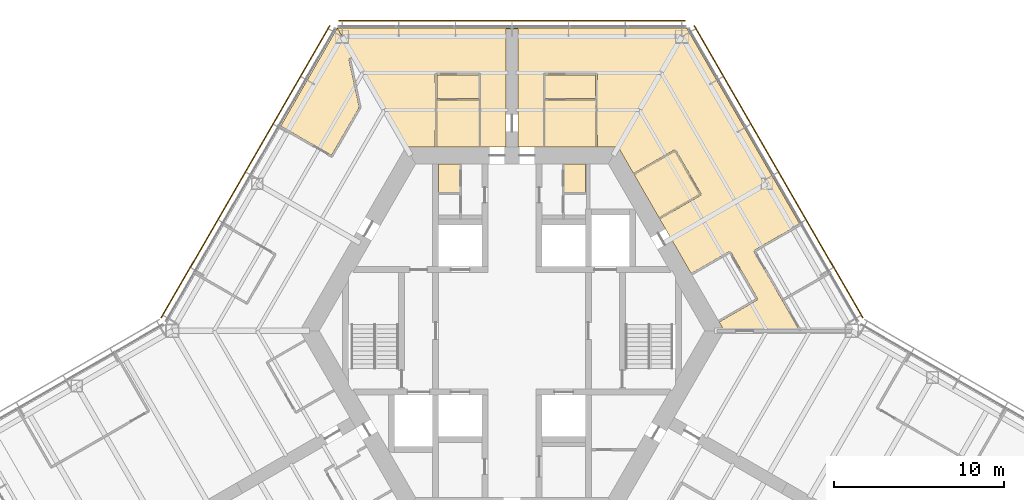
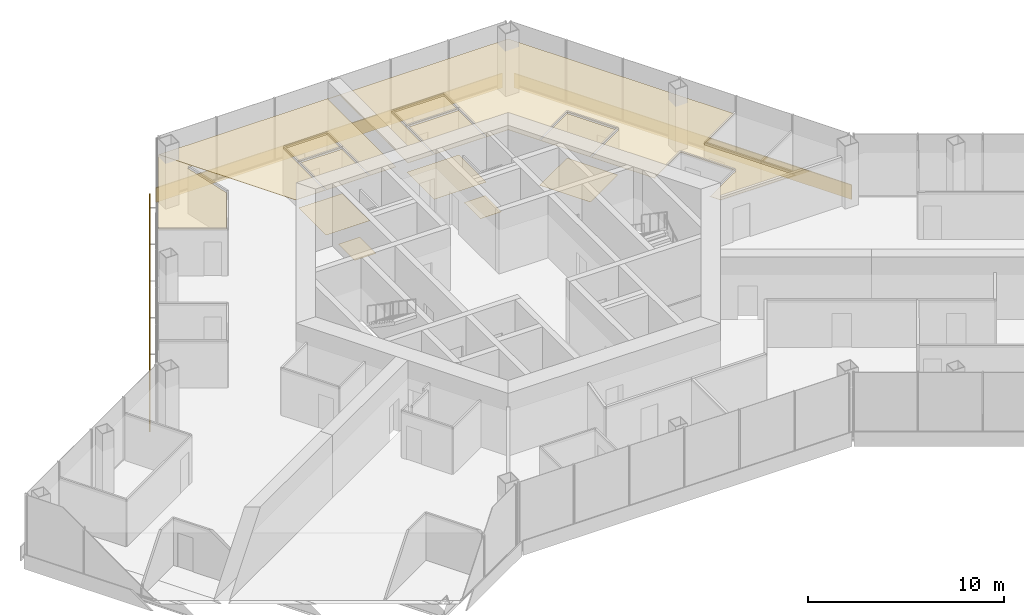
# One storey, part 18 of 18: 13 coverings, 3 shading devices.
"""IFC4 building model written with IfcOpenShell, lengths in metres."""

from ifc_helpers import new_model, si_unit, direction, frame, origin, origin_2d, place, context, subcontext, project, spatial, polyline, rectangle, outline, extrude, material, layer, layer_set, type_object, element, save


model = new_model("IFC4")

# Units and contexts
model_context = context("Model", 3, precision=1e-05, world=origin(), true_north=direction((0.0, 1.0)))
body_context = subcontext(model_context, "Body", "Model", "MODEL_VIEW")
ifc_project = project(units=[si_unit("LENGTHUNIT", "METRE"), si_unit("AREAUNIT", "SQUARE_METRE"), si_unit("VOLUMEUNIT", "CUBIC_METRE"), si_unit("PLANEANGLEUNIT", "RADIAN"), si_unit("MASSUNIT", "GRAM", prefix="KILO")], contexts=[model_context])

# Site, building, storey
site_placement = place(None, origin())
site = spatial("IfcSite", under=ifc_project, at=site_placement, CompositionType="ELEMENT")
building_placement = place(site_placement, origin())
building = spatial("IfcBuilding", under=site, at=building_placement, Name="Kasaneha Research Tower", CompositionType="ELEMENT")
storey_placement = place(building_placement, frame((0.0, 0.0, 176.0)))
storey = spatial("IfcBuildingStorey", under=building, at=storey_placement, Name="L44", CompositionType="ELEMENT", Elevation=176.0)

# Coverings
ifc_material_1 = material(Name="Gypsum ceiling board", Category="gypsum")
ifc_layer_1 = layer(ifc_material_1, 0.02001953125)
ifc_layer_set_1 = layer_set([ifc_layer_1], Name="Suspended ceiling 20")
covering_type_1 = type_object("IfcCoveringType", Name="Suspended ceiling 20", PredefinedType="CEILING", material=ifc_layer_set_1)
covering_1_placement = place(storey_placement, frame((0.0, 0.0, 2.800048828125)))
element("IfcCovering", 1, at=covering_1_placement, inside=storey, type_object=covering_type_1, Name="Ceiling L44-27", PredefinedType="CEILING", context=body_context, shape_type="SweptSolid", body=[
    extrude(outline(polyline([(1.89990234375, 10.824951171875), (1.89990234375, 10.844970703125), (1.949951171875, 10.844970703125), (1.95458984375, 13.570068359375), (4.91650390625, 13.570068359375), (4.9208984375, 10.844970703125), (4.970947265625, 10.844970703125), (4.970947265625, 10.824951171875), (1.89990234375, 10.824951171875)])), origin(), (0.0, 0.0, 1.0), 0.02001953125),
])
covering_2_placement = place(storey_placement, frame((0.0, 0.0, 2.800048828125)))
element("IfcCovering", 2, at=covering_2_placement, inside=storey, type_object=covering_type_1, Name="Ceiling L44-28", PredefinedType="CEILING", context=body_context, shape_type="SweptSolid", body=[
    extrude(outline(polyline([(4.91650390625, 13.669921875), (1.954345703125, 13.669921875), (1.9501953125, 15.074951171875), (4.9208984375, 15.074951171875), (4.91650390625, 13.669921875)])), origin(), (0.0, 0.0, 1.0), 0.02001953125),
])
covering_3_placement = place(storey_placement, frame((0.0, 0.0, 2.800048828125)))
element("IfcCovering", 3, at=covering_3_placement, inside=storey, type_object=covering_type_1, Name="Ceiling L44-29", PredefinedType="CEILING", context=body_context, shape_type="SweptSolid", body=[
    extrude(outline(polyline([(7.1748046875, 9.222900390625), (7.19189453125, 9.23291015625), (7.217041015625, 9.189697265625), (9.581298828125, 10.5546875), (11.03125, 8.043212890625), (8.6669921875, 6.67822265625), (8.69189453125, 6.635009765625), (8.6748046875, 6.625), (7.1748046875, 9.222900390625)])), origin(), (0.0, 0.0, 1.0), 0.02001953125),
])
covering_4_placement = place(storey_placement, frame((0.0, 0.0, 2.800048828125)))
element("IfcCovering", 4, at=covering_4_placement, inside=storey, type_object=covering_type_1, Name="Ceiling L44-33", PredefinedType="CEILING", context=body_context, shape_type="SweptSolid", body=[
    extrude(outline(polyline([(12.1923828125, 0.572265625), (12.217041015625, 0.529541015625), (14.451416015625, 1.819580078125), (14.426513671875, 1.86279296875), (14.4267578125, 1.863037109375), (14.4267578125, 1.863037109375), (14.4697265625, 1.8876953125), (12.86962890625, 4.658935546875), (12.82666015625, 4.63427734375), (12.82666015625, 4.634521484375), (12.826171875, 4.63427734375), (12.801513671875, 4.67724609375), (10.56689453125, 3.38720703125), (10.591796875, 3.344482421875), (10.574462890625, 3.33447265625), (8.675048828125, 6.62451171875), (8.692138671875, 6.634521484375), (8.717041015625, 6.591552734375), (11.12451171875, 7.981689453125), (11.099853515625, 8.024658203125), (11.10009765625, 8.02490234375), (11.099853515625, 8.025146484375), (11.142822265625, 8.0498046875), (9.642822265625, 10.64794921875), (9.60009765625, 10.623291015625), (9.599853515625, 10.623291015625), (9.599609375, 10.623046875), (9.57470703125, 10.666259765625), (7.1669921875, 9.2763671875), (7.191650390625, 9.2333984375), (7.174560546875, 9.223388671875), (6.249755859375, 10.824951171875), (4.971435546875, 10.824951171875), (4.971435546875, 10.844970703125), (5.02099609375, 10.844970703125), (5.016357421875, 13.625), (5.02099609375, 15.124755859375), (4.971435546875, 15.125), (4.971435546875, 15.12548828125), (4.970947265625, 15.12548828125), (4.970947265625, 15.175048828125), (1.89990234375, 15.175048828125), (1.89990234375, 15.125244140625), (1.899658203125, 15.125244140625), (1.899658203125, 15.125), (1.85009765625, 15.124755859375), (1.8544921875, 13.625), (1.85009765625, 10.844970703125), (1.8994140625, 10.844970703125), (1.8994140625, 10.824951171875), (0.35009765625, 10.824951171875), (0.35009765625, 11.72509765625), (0.35009765625, 12.72509765625), (0.35009765625, 17.7705078125), (0.35009765625, 17.7705078125), (0.0, 17.7705078125), (0.0, 17.820556640625), (10.28857421875, 17.820556640625), (16.94677734375, 6.28857421875), (14.261962890625, 4.738525390625), (14.286865234375, 4.6953125), (14.28662109375, 4.695068359375), (14.28662109375, 4.695068359375), (14.24365234375, 4.670166015625), (15.9130859375, 1.787841796875), (16.93994140625, 0.0), (12.49951171875, 0.0), (12.175048828125, 0.562255859375), (12.1923828125, 0.572265625)])), origin(), (0.0, 0.0, 1.0), 0.02001953125),
])
covering_5_placement = place(storey_placement, frame((0.0, 0.0, 2.800048828125)))
element("IfcCovering", 5, at=covering_5_placement, inside=storey, type_object=covering_type_1, Name="Ceiling L44-34", PredefinedType="CEILING", context=body_context, shape_type="SweptSolid", body=[
    extrude(outline(polyline([(-4.470947265625, 10.824951171875), (-4.470947265625, 10.844970703125), (-4.4208984375, 10.844970703125), (-4.41650390625, 13.570068359375), (-1.95458984375, 13.570068359375), (-1.949951171875, 10.844970703125), (-1.89990234375, 10.844970703125), (-1.89990234375, 10.824951171875), (-4.470947265625, 10.824951171875)])), origin(), (0.0, 0.0, 1.0), 0.02001953125),
])
covering_6_placement = place(storey_placement, frame((0.0, 0.0, 2.800048828125)))
element("IfcCovering", 6, at=covering_6_placement, inside=storey, type_object=covering_type_1, Name="Ceiling L44-35", PredefinedType="CEILING", context=body_context, shape_type="SweptSolid", body=[
    extrude(outline(polyline([(-1.9501953125, 15.074951171875), (-1.95458984375, 13.669921875), (-4.41650390625, 13.669921875), (-4.4208984375, 15.074951171875), (-1.9501953125, 15.074951171875)])), origin(), (0.0, 0.0, 1.0), 0.02001953125),
])
covering_7_placement = place(storey_placement, frame((0.0, 0.0, 2.800048828125)))
element("IfcCovering", 7, at=covering_7_placement, inside=storey, type_object=covering_type_1, Name="Ceiling L44-36", PredefinedType="CEILING", context=body_context, shape_type="SweptSolid", body=[
    extrude(outline(polyline([(-0.35009765625, 11.72509765625), (-0.35009765625, 10.824951171875), (-1.8994140625, 10.824951171875), (-1.8994140625, 10.844970703125), (-1.85009765625, 10.844970703125), (-1.854736328125, 13.625), (-1.85009765625, 15.124755859375), (-1.89990234375, 15.125), (-1.89990234375, 15.12548828125), (-1.89990234375, 15.175048828125), (-4.470947265625, 15.175048828125), (-4.470947265625, 15.125244140625), (-4.471435546875, 15.125244140625), (-4.471435546875, 15.125), (-4.52099609375, 15.124755859375), (-4.516357421875, 13.625), (-4.52099609375, 10.844970703125), (-4.471435546875, 10.844970703125), (-4.471435546875, 10.824951171875), (-6.249755859375, 10.824951171875), (-10.28857421875, 17.820556640625), (0.0, 17.820556640625), (0.0, 17.7705078125), (-0.35009765625, 17.7705078125), (-0.35009765625, 17.7705078125), (-0.35009765625, 12.72509765625), (-0.35009765625, 11.72509765625)])), origin(), (0.0, 0.0, 1.0), 0.02001953125),
])
covering_8_placement = place(storey_placement, frame((0.0, 0.0, 2.800048828125)))
element("IfcCovering", 8, at=covering_8_placement, inside=storey, type_object=covering_type_1, Name="Ceiling L44-37", PredefinedType="CEILING", context=body_context, shape_type="SweptSolid", body=[
    extrude(outline(polyline([(-6.249267578125, 10.824951171875), (-9.308837890625, 16.122314453125), (-9.56396484375, 16.02392578125), (-9.56396484375, 16.02392578125), (-9.61279296875, 16.013427734375), (-8.99609375, 13.15771484375), (-10.6279296875, 10.332763671875), (-13.598388671875, 12.0478515625), (-13.623291015625, 12.004638671875), (-13.640869140625, 12.0146484375), (-10.28857421875, 17.821044921875), (-6.249267578125, 10.824951171875)])), origin(), (0.0, 0.0, 1.0), 0.02001953125),
])

# Shading devices
ifc_material_2 = material(Name="Terracotta", Category="masonry")
ifc_layer_2 = layer(ifc_material_2, 0.06005859375)
ifc_layer_set_2 = layer_set([ifc_layer_2], Name="Terracotta baguette screen")
shading_device_type = type_object("IfcShadingDeviceType", Name="Terracotta baguette screen", PredefinedType="USERDEFINED", material=ifc_layer_set_2)
shading_device_1_placement = place(storey_placement, frame((15.696044921875, 9.35498046875, -0.449951171875), z_axis=(0.0, 0.0, 1.0), x_axis=(-0.499999979232, 0.866025415775, 0.0)))
element("IfcShadingDevice", 9, at=shading_device_1_placement, inside=storey, type_object=shading_device_type, Name="Baguette screen L44 06", ObjectType="TERRACOTTA BAGUETTE SCREEN", PredefinedType="USERDEFINED", context=body_context, shape_type="SweptSolid", body=[
    extrude(rectangle(XDim=19.8857421875, YDim=0.06005859375, at=origin_2d()), origin(), (0.0, 0.0, 1.0), 0.89990234375),
])
shading_device_2_placement = place(storey_placement, frame((0.0, 18.2705078125, -0.449951171875), z_axis=(0.0, 0.0, 1.0), x_axis=(-1.0, 0.0, 0.0)))
element("IfcShadingDevice", 10, at=shading_device_2_placement, inside=storey, type_object=shading_device_type, Name="Baguette screen L44 07", ObjectType="TERRACOTTA BAGUETTE SCREEN", PredefinedType="USERDEFINED", context=body_context, shape_type="SweptSolid", body=[
    extrude(rectangle(XDim=20.392822265625, YDim=0.06005859375, at=origin_2d()), origin(), (0.0, 0.0, 1.0), 0.89990234375),
])
shading_device_3_placement = place(storey_placement, frame((-15.696044921875, 9.35498046875, -0.449951171875), z_axis=(0.0, 0.0, 1.0), x_axis=(-0.499999979232, -0.866025415775, 0.0)))
element("IfcShadingDevice", 11, at=shading_device_3_placement, inside=storey, type_object=shading_device_type, Name="Baguette screen L44 08", ObjectType="TERRACOTTA BAGUETTE SCREEN", PredefinedType="USERDEFINED", context=body_context, shape_type="SweptSolid", body=[
    extrude(rectangle(XDim=19.8857421875, YDim=0.06005859375, at=origin_2d()), origin(), (0.0, 0.0, 1.0), 0.89990234375),
])

# Coverings
ifc_material_3 = material(Name="Vinyl sheet flooring", Category="plastic")
ifc_layer_3 = layer(ifc_material_3, 0.0048828125)
ifc_layer_set_3 = layer_set([ifc_layer_3], Name="Wet room sheet flooring 5")
covering_type_2 = type_object("IfcCoveringType", Name="Wet room sheet flooring 5", PredefinedType="FLOORING", material=ifc_layer_set_3)
covering_9_placement = place(storey_placement, origin())
element("IfcCovering", 12, at=covering_9_placement, inside=storey, type_object=covering_type_2, Name="Floor finish L44-07", PredefinedType="FLOORING", context=body_context, shape_type="SweptSolid", body=[
    extrude(outline(polyline([(-4.324951171875, 8.14990234375), (-4.324951171875, 9.824951171875), (-3.074951171875, 9.824951171875), (-3.074951171875, 8.14990234375), (-4.324951171875, 8.14990234375)])), origin(), (0.0, 0.0, 1.0), 0.0048828125),
])
covering_10_placement = place(storey_placement, origin())
element("IfcCovering", 13, at=covering_10_placement, inside=storey, type_object=covering_type_2, Name="Floor finish L44-10", PredefinedType="FLOORING", context=body_context, shape_type="SweptSolid", body=[
    extrude(outline(polyline([(4.324951171875, 8.14990234375), (3.074951171875, 8.14990234375), (3.074951171875, 9.824951171875), (4.324951171875, 9.824951171875), (4.324951171875, 8.14990234375)])), origin(), (0.0, 0.0, 1.0), 0.0048828125),
])
covering_11_placement = place(storey_placement, origin())
element("IfcCovering", 14, at=covering_11_placement, inside=storey, type_object=covering_type_2, Name="Floor finish L44-27", PredefinedType="FLOORING", context=body_context, shape_type="SweptSolid", body=[
    extrude(outline(polyline([(4.970947265625, 13.625), (4.970947265625, 10.824951171875), (1.89990234375, 10.824951171875), (1.89990234375, 13.625), (4.970947265625, 13.625)])), origin(), (0.0, 0.0, 1.0), 0.0048828125),
])
covering_12_placement = place(storey_placement, origin())
element("IfcCovering", 15, at=covering_12_placement, inside=storey, type_object=covering_type_2, Name="Floor finish L44-29", PredefinedType="FLOORING", context=body_context, shape_type="SweptSolid", body=[
    extrude(outline(polyline([(11.099609375, 8.02490234375), (8.6748046875, 6.625), (7.1748046875, 9.222900390625), (9.599609375, 10.623046875), (11.099609375, 8.02490234375)])), origin(), (0.0, 0.0, 1.0), 0.0048828125),
])
covering_13_placement = place(storey_placement, origin())
element("IfcCovering", 16, at=covering_13_placement, inside=storey, type_object=covering_type_2, Name="Floor finish L44-34", PredefinedType="FLOORING", context=body_context, shape_type="SweptSolid", body=[
    extrude(outline(polyline([(-1.89990234375, 13.625), (-1.89990234375, 10.824951171875), (-4.470947265625, 10.824951171875), (-4.470947265625, 13.625), (-1.89990234375, 13.625)])), origin(), (0.0, 0.0, 1.0), 0.0048828125),
])

save(model, "model.ifc")
